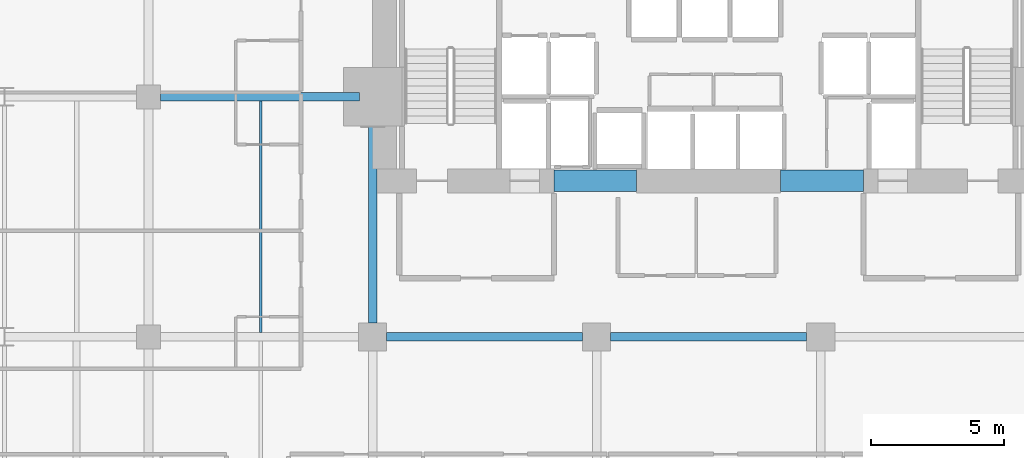
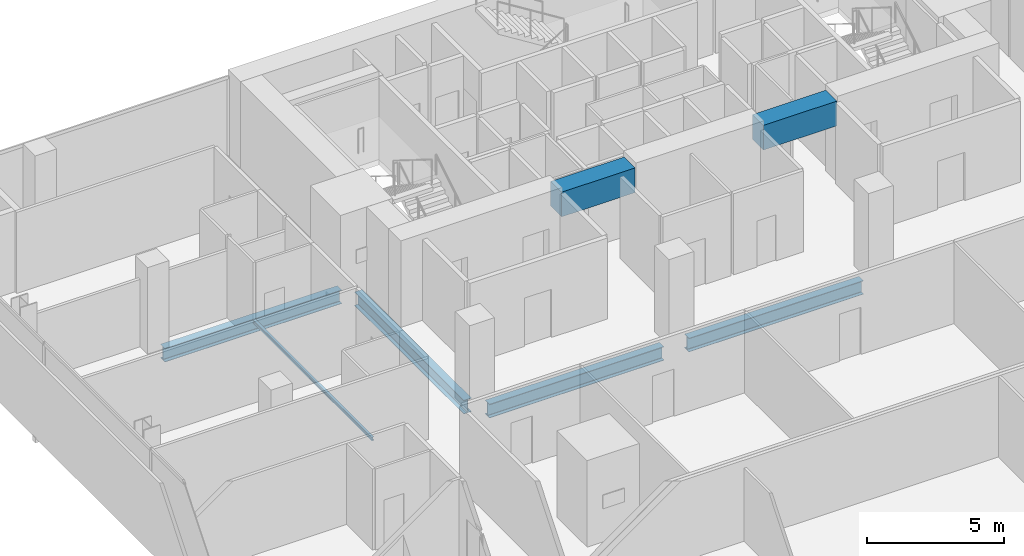
# One storey, part 24 of 41: 7 beams.
"""IFC4 building model written with IfcOpenShell, lengths in metres."""

from ifc_helpers import new_model, si_unit, direction, frame, origin, origin_2d, place, context, subcontext, project, spatial, rectangle, i_section, extrude, material, material_profile, profile_set, type_object, element, save


model = new_model("IFC4")

# Units and contexts
model_context = context("Model", 3, precision=1e-05, world=origin(), true_north=direction((0.0, 1.0)))
body_context = subcontext(model_context, "Body", "Model", "MODEL_VIEW")
ifc_project = project(units=[si_unit("LENGTHUNIT", "METRE"), si_unit("AREAUNIT", "SQUARE_METRE"), si_unit("VOLUMEUNIT", "CUBIC_METRE"), si_unit("PLANEANGLEUNIT", "RADIAN"), si_unit("MASSUNIT", "GRAM", prefix="KILO")], contexts=[model_context])

# Site, building, storey
site_placement = place(None, origin())
site = spatial("IfcSite", under=ifc_project, at=site_placement, CompositionType="ELEMENT")
building_placement = place(site_placement, origin())
building = spatial("IfcBuilding", under=site, at=building_placement, Name="Maruvema Waterfront Hotel and Observation Tower", CompositionType="ELEMENT")
storey_placement = place(building_placement, frame((0.0, 0.0, 84.699951171875)))
storey = spatial("IfcBuildingStorey", under=building, at=storey_placement, Name="L20", CompositionType="ELEMENT", Elevation=84.699951171875)

# Beams
ifc_material_1 = material(Name="Concrete C60/75", Category="concrete")
ifc_material_profile_1 = material_profile(ifc_material_1, rectangle(XDim=0.800048828125, YDim=1.10009765625, at=origin_2d()), Name="CB800x1100")
ifc_profile_set_1 = profile_set([ifc_material_profile_1], Name="Concrete C60/75")
beam_type_1 = type_object("IfcBeamType", Name="Core Coupling Lintel Beam CB800x1100", PredefinedType="LINTEL", material=ifc_profile_set_1)
for number, where, z_axis, x_axis, name in (
    (1, (32.0, 41.85009765625, 3.06005859375), (1.0, 0.0, 0.0), (0.0, 1.0, 0.0), "L20 Core Coupling Lintel Beam West"),
    (2, (40.5, 41.85009765625, 3.06005859375), (1.0, 0.0, 0.0), (0.0, 1.0, 0.0), "L20 Core Coupling Lintel Beam East"),
):
    element("IfcBeam", number, at=place(storey_placement, frame(where, z_axis=z_axis, x_axis=x_axis)), inside=storey, type_object=beam_type_1, Name=name, PredefinedType="LINTEL", context=body_context, shape_type="SweptSolid", body=[
        extrude(rectangle(XDim=0.800048828125, YDim=1.10009765625, at=origin_2d()), origin(), (0.0, 0.0, 1.0), 3.10009765625),
    ])
ifc_material_2 = material(Name="Steel ASTM A572 Grade 50", Category="steel")
ifc_material_profile_2 = material_profile(ifc_material_2, i_section(OverallWidth=0.323974609375, OverallDepth=0.611083984375, WebThickness=0.0126953125, FlangeThickness=0.01904296875, FilletRadius=0.01806640625, at=origin_2d()), Name="W610x155.0")
ifc_profile_set_2 = profile_set([ifc_material_profile_2], Name="Steel ASTM A572 Grade 50")
beam_type_2 = type_object("IfcBeamType", Name="Primary Floor Girder W610x155.0", PredefinedType="BEAM", material=ifc_profile_set_2)
beam_1_placement = place(storey_placement, frame((25.72509765625, 36.0, -0.54541015625), z_axis=(1.0, 0.0, 0.0), x_axis=(0.0, 1.0, 0.0)))
element("IfcBeam", 3, at=beam_1_placement, inside=storey, type_object=beam_type_2, Name="L20 Floor Girder EW-27", PredefinedType="BEAM", context=body_context, shape_type="SweptSolid", body=[
    extrude(i_section(OverallWidth=0.323974609375, OverallDepth=0.611083984375, WebThickness=0.0126953125, FlangeThickness=0.01904296875, FilletRadius=0.01806640625, at=origin_2d()), origin(), (0.0, 0.0, 1.0), 7.349853515625),
])
beam_2_placement = place(storey_placement, frame((34.125, 36.0, -0.54541015625), z_axis=(1.0, 0.0, 0.0), x_axis=(0.0, 1.0, 0.0)))
element("IfcBeam", 4, at=beam_2_placement, inside=storey, type_object=beam_type_2, Name="L20 Floor Girder EW-28", PredefinedType="BEAM", context=body_context, shape_type="SweptSolid", body=[
    extrude(i_section(OverallWidth=0.323974609375, OverallDepth=0.611083984375, WebThickness=0.0126953125, FlangeThickness=0.01904296875, FilletRadius=0.01806640625, at=origin_2d()), origin(), (0.0, 0.0, 1.0), 7.35009765625),
])
beam_3_placement = place(storey_placement, frame((17.25, 45.0, -0.54541015625), z_axis=(1.0, 0.0, 0.0), x_axis=(0.0, 1.0, 0.0)))
element("IfcBeam", 5, at=beam_3_placement, inside=storey, type_object=beam_type_2, Name="L20 Floor Girder EW-33", PredefinedType="BEAM", context=body_context, shape_type="SweptSolid", body=[
    extrude(i_section(OverallWidth=0.323974609375, OverallDepth=0.611083984375, WebThickness=0.0126953125, FlangeThickness=0.01904296875, FilletRadius=0.01806640625, at=origin_2d()), origin(), (0.0, 0.0, 1.0), 7.449951171875),
])
beam_4_placement = place(storey_placement, frame((25.199951171875, 36.52490234375, -0.54541015625), z_axis=(0.0, 1.0, 0.0), x_axis=(-1.0, 0.0, 0.0)))
element("IfcBeam", 6, at=beam_4_placement, inside=storey, type_object=beam_type_2, Name="L20 Floor Girder NS-15", PredefinedType="BEAM", context=body_context, shape_type="SweptSolid", body=[
    extrude(i_section(OverallWidth=0.323974609375, OverallDepth=0.611083984375, WebThickness=0.0126953125, FlangeThickness=0.01904296875, FilletRadius=0.01806640625, at=origin_2d()), origin(), (0.0, 0.0, 1.0), 7.97509765625),
])
ifc_material_3 = material(Name="Steel ASTM A572 Grade 50", Category="steel")
ifc_material_profile_3 = material_profile(ifc_material_3, i_section(OverallWidth=0.10009765625, OverallDepth=0.153076171875, WebThickness=0.005859375, FlangeThickness=0.007080078125, FilletRadius=0.008056640625, at=origin_2d()), Name="W150x18.0")
ifc_profile_set_3 = profile_set([ifc_material_profile_3], Name="Steel ASTM A572 Grade 50")
beam_type_3 = type_object("IfcBeamType", Name="Secondary Floor Joist W150x18.0", PredefinedType="JOIST", material=ifc_profile_set_3)
beam_5_placement = place(storey_placement, frame((21.0, 36.162109375, -0.31640625), z_axis=(0.0, 1.0, 0.0), x_axis=(-1.0, 0.0, 0.0)))
element("IfcBeam", 7, at=beam_5_placement, inside=storey, type_object=beam_type_3, Name="L20 Secondary Floor Joist JS-09", PredefinedType="JOIST", context=body_context, shape_type="SweptSolid", body=[
    extrude(i_section(OverallWidth=0.10009765625, OverallDepth=0.153076171875, WebThickness=0.005859375, FlangeThickness=0.007080078125, FilletRadius=0.008056640625, at=origin_2d()), origin(), (0.0, 0.0, 1.0), 8.67578125),
])

save(model, "model.ifc")
